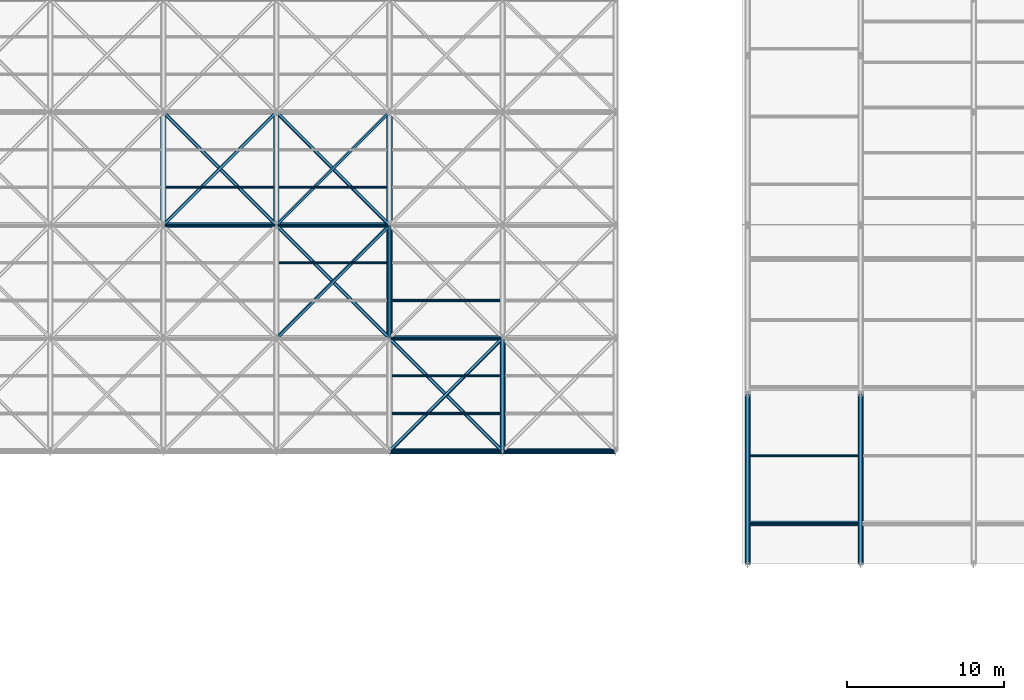
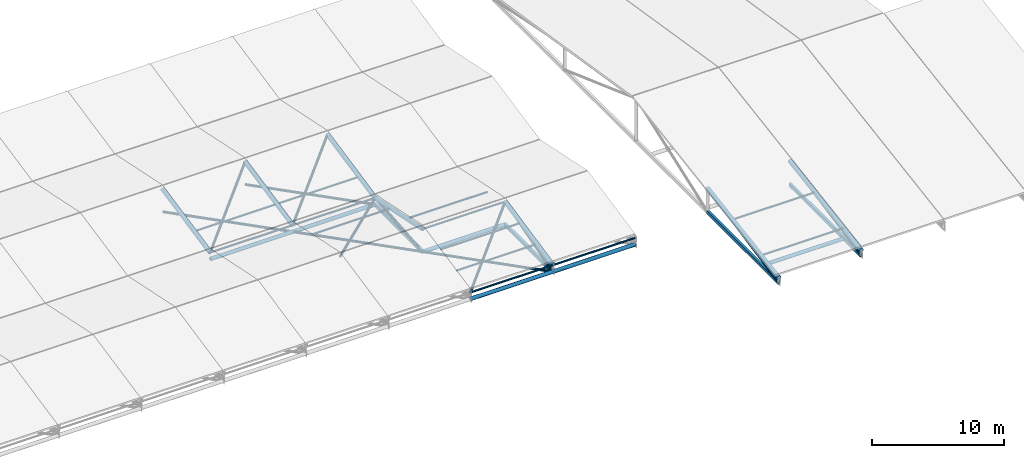
# One storey, part 30 of 72: 31 members, 11 beams.
"""IFC4 building model written with IfcOpenShell, lengths in metres."""

from ifc_helpers import new_model, si_unit, direction, frame, origin, origin_2d, place, context, subcontext, project, spatial, hollow_rectangle, hollow_circle, extrude, material, material_profile, profile_set, type_object, element, save


model = new_model("IFC4")

# Units and contexts
model_context = context("Model", 3, precision=1e-05, world=origin(), true_north=direction((0.0, 1.0)))
body_context = subcontext(model_context, "Body", "Model", "MODEL_VIEW")
ifc_project = project(units=[si_unit("LENGTHUNIT", "METRE"), si_unit("AREAUNIT", "SQUARE_METRE"), si_unit("VOLUMEUNIT", "CUBIC_METRE"), si_unit("PLANEANGLEUNIT", "RADIAN"), si_unit("MASSUNIT", "GRAM", prefix="KILO")], contexts=[model_context])

# Site, building, storey
site_placement = place(None, origin())
site = spatial("IfcSite", under=ifc_project, at=site_placement, CompositionType="ELEMENT")
building_placement = place(site_placement, origin())
building = spatial("IfcBuilding", under=site, at=building_placement, Name="Vaelcorin Mobility Hub", CompositionType="ELEMENT")
storey_placement = place(building_placement, frame((0.0, 0.0, 25.800048828125)))
storey = spatial("IfcBuildingStorey", under=building, at=storey_placement, Name="RF", CompositionType="ELEMENT", Elevation=25.800048828125)

# Members
ifc_material = material(Name="Steel ASTM A500 Grade C", Category="steel")
ifc_material_profile_1 = material_profile(ifc_material, hollow_circle(Radius=0.161865234375, WallThickness=0.0126953125, at=origin_2d()), Name="HSS12.750X0.500")
ifc_profile_set_1 = profile_set([ifc_material_profile_1], Name="Steel ASTM A500 Grade C")
member_type_1 = type_object("IfcMemberType", Name="SF-CHORD-12", PredefinedType="CHORD", material=ifc_profile_set_1)
member_1_placement = place(storey_placement, frame((86.39990234375, 98.39990234375, -2.10009765625), z_axis=(1.0, 0.0, 0.0), x_axis=(0.0, 1.0, 0.0)))
element("IfcMember", 1, at=member_1_placement, inside=storey, type_object=member_type_1, Name="Sports Truss Lower Tie Strut 8-2", PredefinedType="CHORD", context=body_context, shape_type="SweptSolid", body=[
    extrude(hollow_circle(Radius=0.161865234375, WallThickness=0.0126953125, at=origin_2d()), origin(), (0.0, 0.0, 1.0), 7.2001953125),
])
for number, where, z_axis, x_axis, name in (
    (2, (93.60009765625, 98.39990234375, -2.10009765625), (1.0, 0.0, 0.0), (0.0, 1.0, 0.0), "Sports Truss Lower Tie Strut 9-2"),
    (3, (100.800048828125, 84.0, -2.10009765625), (1.0, 0.0, 0.0), (0.0, 1.0, 0.0), "Sports Truss Lower Tie Strut 10-0"),
    (4, (100.800048828125, 91.199951171875, -2.10009765625), (1.0, 0.0, 0.0), (0.0, 1.0, 0.0), "Sports Truss Lower Tie Strut 10-1"),
    (5, (108.0, 84.0, -2.10009765625), (1.0, 0.0, 0.0), (0.0, 1.0, 0.0), "Sports Truss Lower Tie Strut 11-0"),
):
    element("IfcMember", number, at=place(storey_placement, frame(where, z_axis=z_axis, x_axis=x_axis)), inside=storey, type_object=member_type_1, Name=name, PredefinedType="CHORD", context=body_context, shape_type="SweptSolid", body=[
        extrude(hollow_circle(Radius=0.161865234375, WallThickness=0.0126953125, at=origin_2d()), origin(), (0.0, 0.0, 1.0), 7.199951171875),
    ])
member_2_placement = place(storey_placement, frame((123.697998046875, 79.39208984375, -4.199951171875), z_axis=(1.0, 0.0, 0.0), x_axis=(0.0, 1.0, 0.0)))
element("IfcMember", 6, at=member_2_placement, inside=storey, type_object=member_type_1, Name="V2E Drum Truss Tie Strut 1-1", PredefinedType="CHORD", context=body_context, shape_type="SweptSolid", body=[
    extrude(hollow_circle(Radius=0.161865234375, WallThickness=0.0126953125, at=origin_2d()), origin(), (0.0, 0.0, 1.0), 7.00390625),
])
ifc_material_profile_2 = material_profile(ifc_material, hollow_circle(Radius=0.109619140625, WallThickness=0.009521484375, at=origin_2d()), Name="HSS8.625X0.375")
ifc_profile_set_2 = profile_set([ifc_material_profile_2], Name="Steel ASTM A500 Grade C")
member_type_2 = type_object("IfcMemberType", Name="SF-DIAG-8", PredefinedType="BRACE", material=ifc_profile_set_2)
member_3_placement = place(storey_placement, frame((86.39990234375, 98.39990234375, -1.5), z_axis=(0.699557247852, 0.699557247852, 0.14573713993), x_axis=(-0.707106781187, 0.707106781187, 0.0)))
element("IfcMember", 7, at=member_3_placement, inside=storey, type_object=member_type_2, Name="Sports Roof Space-Truss Plan Brace 8-3", PredefinedType="BRACE", context=body_context, shape_type="SweptSolid", body=[
    extrude(hollow_circle(Radius=0.109619140625, WallThickness=0.009521484375, at=origin_2d()), origin(), (0.0, 0.0, 1.0), 10.29248046875),
])
member_4_placement = place(storey_placement, frame((93.60009765625, 98.39990234375, -2.10009765625), z_axis=(-0.707106781187, 0.707106781187, 0.0), x_axis=(-0.707106781187, -0.707106781187, 0.0)))
element("IfcMember", 8, at=member_4_placement, inside=storey, type_object=member_type_2, Name="Sports Truss Lower Plan Brace 8-3", PredefinedType="BRACE", context=body_context, shape_type="SweptSolid", body=[
    extrude(hollow_circle(Radius=0.109619140625, WallThickness=0.009521484375, at=origin_2d()), origin(), (0.0, 0.0, 1.0), 10.1826171875),
])
member_5_placement = place(storey_placement, frame((93.60009765625, 91.199951171875, 0.0), z_axis=(0.699556744026, 0.699556744026, -0.145741976715), x_axis=(-0.707106781187, 0.707106781187, 0.0)))
element("IfcMember", 9, at=member_5_placement, inside=storey, type_object=member_type_2, Name="Sports Roof Space-Truss Plan Brace 9-2", PredefinedType="BRACE", context=body_context, shape_type="SweptSolid", body=[
    extrude(hollow_circle(Radius=0.109619140625, WallThickness=0.009521484375, at=origin_2d()), origin(), (0.0, 0.0, 1.0), 10.292236328125),
])
member_6_placement = place(storey_placement, frame((100.800048828125, 91.199951171875, -2.10009765625), z_axis=(-0.707106781187, 0.707106781187, 0.0), x_axis=(-0.707106781187, -0.707106781187, 0.0)))
element("IfcMember", 10, at=member_6_placement, inside=storey, type_object=member_type_2, Name="Sports Truss Lower Plan Brace 9-2", PredefinedType="BRACE", context=body_context, shape_type="SweptSolid", body=[
    extrude(hollow_circle(Radius=0.109619140625, WallThickness=0.009521484375, at=origin_2d()), origin(), (0.0, 0.0, 1.0), 10.182373046875),
])
member_7_placement = place(storey_placement, frame((93.60009765625, 98.39990234375, -1.5), z_axis=(0.699545135531, 0.699568856162, 0.145739558262), x_axis=(-0.7071187694, 0.70709479277, 0.0)))
element("IfcMember", 11, at=member_7_placement, inside=storey, type_object=member_type_2, Name="Sports Roof Space-Truss Plan Brace 9-3", PredefinedType="BRACE", context=body_context, shape_type="SweptSolid", body=[
    extrude(hollow_circle(Radius=0.109619140625, WallThickness=0.009521484375, at=origin_2d()), origin(), (0.0, 0.0, 1.0), 10.292236328125),
])
member_8_placement = place(storey_placement, frame((100.800048828125, 98.39990234375, -2.10009765625), z_axis=(-0.70709479277, 0.7071187694, 0.0), x_axis=(-0.7071187694, -0.70709479277, 0.0)))
element("IfcMember", 12, at=member_8_placement, inside=storey, type_object=member_type_2, Name="Sports Truss Lower Plan Brace 9-3", PredefinedType="BRACE", context=body_context, shape_type="SweptSolid", body=[
    extrude(hollow_circle(Radius=0.109619140625, WallThickness=0.009521484375, at=origin_2d()), origin(), (0.0, 0.0, 1.0), 10.182373046875),
])
member_9_placement = place(storey_placement, frame((100.800048828125, 84.0, -1.5), z_axis=(0.699556744026, 0.699556744026, 0.145741976715), x_axis=(-0.707106781187, 0.707106781187, 0.0)))
element("IfcMember", 13, at=member_9_placement, inside=storey, type_object=member_type_2, Name="Sports Roof Space-Truss Plan Brace 10-1", PredefinedType="BRACE", context=body_context, shape_type="SweptSolid", body=[
    extrude(hollow_circle(Radius=0.109619140625, WallThickness=0.009521484375, at=origin_2d()), origin(), (0.0, 0.0, 1.0), 10.292236328125),
])
member_10_placement = place(storey_placement, frame((108.0, 84.0, -2.10009765625), z_axis=(-0.707106781187, 0.707106781187, 0.0), x_axis=(-0.707106781187, -0.707106781187, 0.0)))
element("IfcMember", 14, at=member_10_placement, inside=storey, type_object=member_type_2, Name="Sports Truss Lower Plan Brace 10-1", PredefinedType="BRACE", context=body_context, shape_type="SweptSolid", body=[
    extrude(hollow_circle(Radius=0.109619140625, WallThickness=0.009521484375, at=origin_2d()), origin(), (0.0, 0.0, 1.0), 10.182373046875),
])
ifc_material_profile_3 = material_profile(ifc_material, hollow_circle(Radius=0.084228515625, WallThickness=0.0078125, at=origin_2d()), Name="HSS6.625X0.312")
ifc_profile_set_3 = profile_set([ifc_material_profile_3], Name="Steel ASTM A500 Grade C")
member_type_3 = type_object("IfcMemberType", Name="SF-PURL-6", PredefinedType="PURLIN", material=ifc_profile_set_3)
member_11_placement = place(storey_placement, frame((86.39990234375, 98.39990234375, -1.5), z_axis=(1.0, 0.0, 0.0), x_axis=(0.0, 1.0, 0.0)))
element("IfcMember", 15, at=member_11_placement, inside=storey, type_object=member_type_3, Name="Sports Pavilion Roof Purlin 8-2", PredefinedType="PURLIN", context=body_context, shape_type="SweptSolid", body=[
    extrude(hollow_circle(Radius=0.084228515625, WallThickness=0.0078125, at=origin_2d()), origin(), (0.0, 0.0, 1.0), 7.2001953125),
])
member_12_placement = place(storey_placement, frame((86.56005859375, 100.800048828125, -1.0), z_axis=(1.0, 0.0, 0.0), x_axis=(0.0, 1.0, 0.0)))
element("IfcMember", 16, at=member_12_placement, inside=storey, type_object=member_type_3, Name="Sports Roof Secondary Purlin 8-3-1", PredefinedType="PURLIN", context=body_context, shape_type="SweptSolid", body=[
    extrude(hollow_circle(Radius=0.084228515625, WallThickness=0.0078125, at=origin_2d()), origin(), (0.0, 0.0, 1.0), 6.8798828125),
])
member_13_placement = place(storey_placement, frame((93.60009765625, 98.39990234375, -1.5), z_axis=(1.0, 0.0, 0.0), x_axis=(0.0, 1.0, 0.0)))
element("IfcMember", 17, at=member_13_placement, inside=storey, type_object=member_type_3, Name="Sports Pavilion Roof Purlin 9-2", PredefinedType="PURLIN", context=body_context, shape_type="SweptSolid", body=[
    extrude(hollow_circle(Radius=0.084228515625, WallThickness=0.0078125, at=origin_2d()), origin(), (0.0, 0.0, 1.0), 7.199951171875),
])
for number, where, z_axis, x_axis, name in (
    (18, (93.760009765625, 96.0, -1.0), (1.0, 0.0, 0.0), (0.0, 1.0, 0.0), "Sports Roof Secondary Purlin 9-2-2"),
    (19, (93.760009765625, 100.800048828125, -1.0), (1.0, 0.0, 0.0), (0.0, 1.0, 0.0), "Sports Roof Secondary Purlin 9-3-1"),
):
    element("IfcMember", number, at=place(storey_placement, frame(where, z_axis=z_axis, x_axis=x_axis)), inside=storey, type_object=member_type_3, Name=name, PredefinedType="PURLIN", context=body_context, shape_type="SweptSolid", body=[
        extrude(hollow_circle(Radius=0.084228515625, WallThickness=0.0078125, at=origin_2d()), origin(), (0.0, 0.0, 1.0), 6.8798828125),
    ])
for number, where, z_axis, x_axis, name in (
    (20, (100.800048828125, 84.0, -1.5), (1.0, 0.0, 0.0), (0.0, 1.0, 0.0), "Sports Pavilion Roof Purlin 10-0"),
    (21, (100.800048828125, 91.199951171875, 0.0), (1.0, 0.0, 0.0), (0.0, 1.0, 0.0), "Sports Pavilion Roof Purlin 10-1"),
):
    element("IfcMember", number, at=place(storey_placement, frame(where, z_axis=z_axis, x_axis=x_axis)), inside=storey, type_object=member_type_3, Name=name, PredefinedType="PURLIN", context=body_context, shape_type="SweptSolid", body=[
        extrude(hollow_circle(Radius=0.084228515625, WallThickness=0.0078125, at=origin_2d()), origin(), (0.0, 0.0, 1.0), 7.199951171875),
    ])
for number, where, z_axis, x_axis, name in (
    (22, (100.9599609375, 86.39990234375, -1.0), (1.0, 0.0, 0.0), (0.0, 1.0, 0.0), "Sports Roof Secondary Purlin 10-1-1"),
    (23, (100.9599609375, 88.800048828125, -0.5), (1.0, 0.0, 0.0), (0.0, 1.0, 0.0), "Sports Roof Secondary Purlin 10-1-2"),
    (24, (100.9599609375, 93.60009765625, -0.5), (1.0, 0.0, 0.0), (0.0, 1.0, 0.0), "Sports Roof Secondary Purlin 10-2-1"),
):
    element("IfcMember", number, at=place(storey_placement, frame(where, z_axis=z_axis, x_axis=x_axis)), inside=storey, type_object=member_type_3, Name=name, PredefinedType="PURLIN", context=body_context, shape_type="SweptSolid", body=[
        extrude(hollow_circle(Radius=0.084228515625, WallThickness=0.0078125, at=origin_2d()), origin(), (0.0, 0.0, 1.0), 6.880126953125),
    ])
member_14_placement = place(storey_placement, frame((108.0, 84.0, -1.5), z_axis=(1.0, 0.0, 0.0), x_axis=(0.0, 1.0, 0.0)))
element("IfcMember", 25, at=member_14_placement, inside=storey, type_object=member_type_3, Name="Sports Pavilion Roof Purlin 11-0", PredefinedType="PURLIN", context=body_context, shape_type="SweptSolid", body=[
    extrude(hollow_circle(Radius=0.084228515625, WallThickness=0.0078125, at=origin_2d()), origin(), (0.0, 0.0, 1.0), 7.199951171875),
])
for number, where, z_axis, x_axis, name in (
    (26, (123.739990234375, 79.39208984375, -3.24609375), (1.0, 0.0, 0.0), (0.0, 1.0, 0.0), "V2E Drum Roof Purlin 1-1-1"),
    (27, (123.739990234375, 83.7119140625, -2.554931640625), (1.0, 0.0, 0.0), (0.0, 1.0, 0.0), "V2E Drum Roof Purlin 1-1-2"),
):
    element("IfcMember", number, at=place(storey_placement, frame(where, z_axis=z_axis, x_axis=x_axis)), inside=storey, type_object=member_type_3, Name=name, PredefinedType="PURLIN", context=body_context, shape_type="SweptSolid", body=[
        extrude(hollow_circle(Radius=0.084228515625, WallThickness=0.0078125, at=origin_2d()), origin(), (0.0, 0.0, 1.0), 6.919921875),
    ])

# Beams
ifc_material_profile_4 = material_profile(ifc_material, hollow_circle(Radius=0.177734375, WallThickness=0.0126953125, at=origin_2d()), Name="HSS14.000X0.500")
ifc_profile_set_4 = profile_set([ifc_material_profile_4], Name="Steel ASTM A500 Grade C")
beam_type_1 = type_object("IfcBeamType", Name="TR-CHORD-14", PredefinedType="BEAM", material=ifc_profile_set_4)
for number, where, z_axis, x_axis, name in (
    (28, (86.39990234375, 98.39990234375, -1.5), (0.0, 0.978981524376, 0.203948951776), (-1.0, 0.0, 0.0), "Sports Pavilion Roof Truss Upper Chord 7-3"),
    (29, (93.60009765625, 98.39990234375, -1.5), (0.0, 0.978981524376, 0.203948951776), (-1.0, 0.0, 0.0), "Sports Pavilion Roof Truss Upper Chord 8-3"),
):
    element("IfcBeam", number, at=place(storey_placement, frame(where, z_axis=z_axis, x_axis=x_axis)), inside=storey, type_object=beam_type_1, Name=name, PredefinedType="BEAM", context=body_context, shape_type="SweptSolid", body=[
        extrude(hollow_circle(Radius=0.177734375, WallThickness=0.0126953125, at=origin_2d()), origin(), (0.0, 0.0, 1.0), 7.354736328125),
    ])
beam_1_placement = place(storey_placement, frame((100.800048828125, 91.199951171875, 0.0), z_axis=(0.0, 0.978980143565, -0.203955579738), x_axis=(-1.0, 0.0, 0.0)))
element("IfcBeam", 30, at=beam_1_placement, inside=storey, type_object=beam_type_1, Name="Sports Pavilion Roof Truss Upper Chord 9-2", PredefinedType="BEAM", context=body_context, shape_type="SweptSolid", body=[
    extrude(hollow_circle(Radius=0.177734375, WallThickness=0.0126953125, at=origin_2d()), origin(), (0.0, 0.0, 1.0), 7.3544921875),
])
beam_2_placement = place(storey_placement, frame((100.800048828125, 98.39990234375, -1.5), z_axis=(0.0, 0.978981524376, 0.203948951776), x_axis=(-1.0, 0.0, 0.0)))
element("IfcBeam", 31, at=beam_2_placement, inside=storey, type_object=beam_type_1, Name="Sports Pavilion Roof Truss Upper Chord 9-3", PredefinedType="BEAM", context=body_context, shape_type="SweptSolid", body=[
    extrude(hollow_circle(Radius=0.177734375, WallThickness=0.0126953125, at=origin_2d()), origin(), (0.0, 0.0, 1.0), 7.354736328125),
])
beam_3_placement = place(storey_placement, frame((108.0, 84.0, -1.5), z_axis=(0.0, 0.978980143565, 0.203955579738), x_axis=(-1.0, 0.0, 0.0)))
element("IfcBeam", 32, at=beam_3_placement, inside=storey, type_object=beam_type_1, Name="Sports Pavilion Roof Truss Upper Chord 10-1", PredefinedType="BEAM", context=body_context, shape_type="SweptSolid", body=[
    extrude(hollow_circle(Radius=0.177734375, WallThickness=0.0126953125, at=origin_2d()), origin(), (0.0, 0.0, 1.0), 7.3544921875),
])
for number, where, z_axis, x_axis, name in (
    (33, (123.60009765625, 76.800048828125, -3.756103515625), (0.0, 0.987440353331, 0.15799224226), (-1.0, 0.0, 0.0), "V2E Drum Roof Truss Upper Chord 1-1"),
    (34, (130.800048828125, 76.800048828125, -3.756103515625), (0.0, 0.987440353331, 0.15799224226), (-1.0, 0.0, 0.0), "V2E Drum Roof Truss Upper Chord 2-1"),
):
    element("IfcBeam", number, at=place(storey_placement, frame(where, z_axis=z_axis, x_axis=x_axis)), inside=storey, type_object=beam_type_1, Name=name, PredefinedType="BEAM", context=body_context, shape_type="SweptSolid", body=[
        extrude(hollow_circle(Radius=0.177734375, WallThickness=0.0126953125, at=origin_2d()), origin(), (0.0, 0.0, 1.0), 10.9375),
    ])
ifc_material_profile_5 = material_profile(ifc_material, hollow_rectangle(XDim=0.203125, YDim=0.3046875, WallThickness=0.01171875, at=origin_2d()), Name="HSS12X8X0.500")
ifc_profile_set_5 = profile_set([ifc_material_profile_5], Name="Steel ASTM A500 Grade C")
beam_type_2 = type_object("IfcBeamType", Name="TR-CHORD-RHS12", PredefinedType="BEAM", material=ifc_profile_set_5)
for number, where, z_axis, x_axis, name in (
    (35, (100.800048828125, 91.199951171875, -2.10009765625), (0.0, 1.0, 0.0), (-1.0, 0.0, 0.0), "Sports Pavilion Roof Truss Bottom Chord 9-2"),
    (36, (108.0, 84.0, -2.10009765625), (0.0, 1.0, 0.0), (-1.0, 0.0, 0.0), "Sports Pavilion Roof Truss Bottom Chord 10-1"),
):
    element("IfcBeam", number, at=place(storey_placement, frame(where, z_axis=z_axis, x_axis=x_axis)), inside=storey, type_object=beam_type_2, Name=name, PredefinedType="BEAM", context=body_context, shape_type="SweptSolid", body=[
        extrude(hollow_rectangle(XDim=0.203125, YDim=0.3046875, WallThickness=0.01171875, at=origin_2d()), origin(), (0.0, 0.0, 1.0), 7.199951171875),
    ])
for number, where, z_axis, x_axis, name in (
    (37, (123.60009765625, 76.800048828125, -4.199951171875), (0.0, 1.0, 0.0), (-1.0, 0.0, 0.0), "V2E Drum Roof Truss Lower Chord 1-1"),
    (38, (130.800048828125, 76.800048828125, -4.199951171875), (0.0, 1.0, 0.0), (-1.0, 0.0, 0.0), "V2E Drum Roof Truss Lower Chord 2-1"),
):
    element("IfcBeam", number, at=place(storey_placement, frame(where, z_axis=z_axis, x_axis=x_axis)), inside=storey, type_object=beam_type_2, Name=name, PredefinedType="BEAM", context=body_context, shape_type="SweptSolid", body=[
        extrude(hollow_rectangle(XDim=0.203125, YDim=0.3046875, WallThickness=0.01171875, at=origin_2d()), origin(), (0.0, 0.0, 1.0), 10.800048828125),
    ])

# Members
ifc_material_profile_6 = material_profile(ifc_material, hollow_circle(Radius=0.109619140625, WallThickness=0.009521484375, at=origin_2d()), Name="HSS8.625X0.375")
ifc_profile_set_6 = profile_set([ifc_material_profile_6], Name="Steel ASTM A500 Grade C")
member_type_4 = type_object("IfcMemberType", Name="TR-WEB-8", PredefinedType="BRACE", material=ifc_profile_set_6)
member_15_placement = place(storey_placement, frame((100.800048828125, 91.199951171875, -2.10009765625), z_axis=(0.0, 0.996544592923, 0.083059462528), x_axis=(-1.0, 0.0, 0.0)))
element("IfcMember", 39, at=member_15_placement, inside=storey, type_object=member_type_4, Name="Sports Pavilion Roof Truss Diagonal 9-2", PredefinedType="BRACE", context=body_context, shape_type="SweptSolid", body=[
    extrude(hollow_circle(Radius=0.109619140625, WallThickness=0.009521484375, at=origin_2d()), origin(), (0.0, 0.0, 1.0), 7.224853515625),
])
member_16_placement = place(storey_placement, frame((108.0, 84.0, -2.10009765625), z_axis=(0.0, 0.959995989474, 0.280013750007), x_axis=(-1.0, 0.0, 0.0)))
element("IfcMember", 40, at=member_16_placement, inside=storey, type_object=member_type_4, Name="Sports Pavilion Roof Truss Diagonal 10-1", PredefinedType="BRACE", context=body_context, shape_type="SweptSolid", body=[
    extrude(hollow_circle(Radius=0.109619140625, WallThickness=0.009521484375, at=origin_2d()), origin(), (0.0, 0.0, 1.0), 7.5),
])
for number, where, z_axis, x_axis, name in (
    (41, (123.60009765625, 76.800048828125, -4.199951171875), (0.0, 0.980373000896, 0.197151665257), (-1.0, 0.0, 0.0), "V2E Drum Roof Truss Web Diagonal 1-1"),
    (42, (130.800048828125, 76.800048828125, -4.199951171875), (0.0, 0.980373000896, 0.197151665257), (-1.0, 0.0, 0.0), "V2E Drum Roof Truss Web Diagonal 2-1"),
):
    element("IfcMember", number, at=place(storey_placement, frame(where, z_axis=z_axis, x_axis=x_axis)), inside=storey, type_object=member_type_4, Name=name, PredefinedType="BRACE", context=body_context, shape_type="SweptSolid", body=[
        extrude(hollow_circle(Radius=0.109619140625, WallThickness=0.009521484375, at=origin_2d()), origin(), (0.0, 0.0, 1.0), 11.016357421875),
    ])

save(model, "model.ifc")
